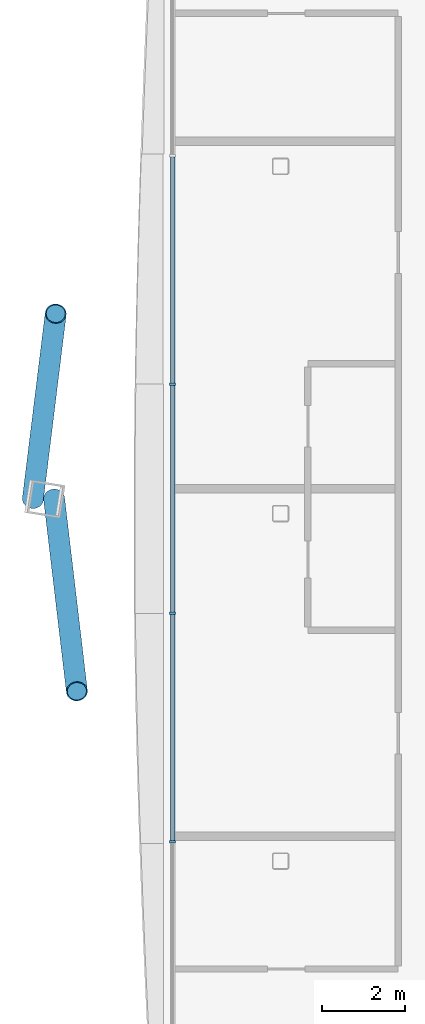
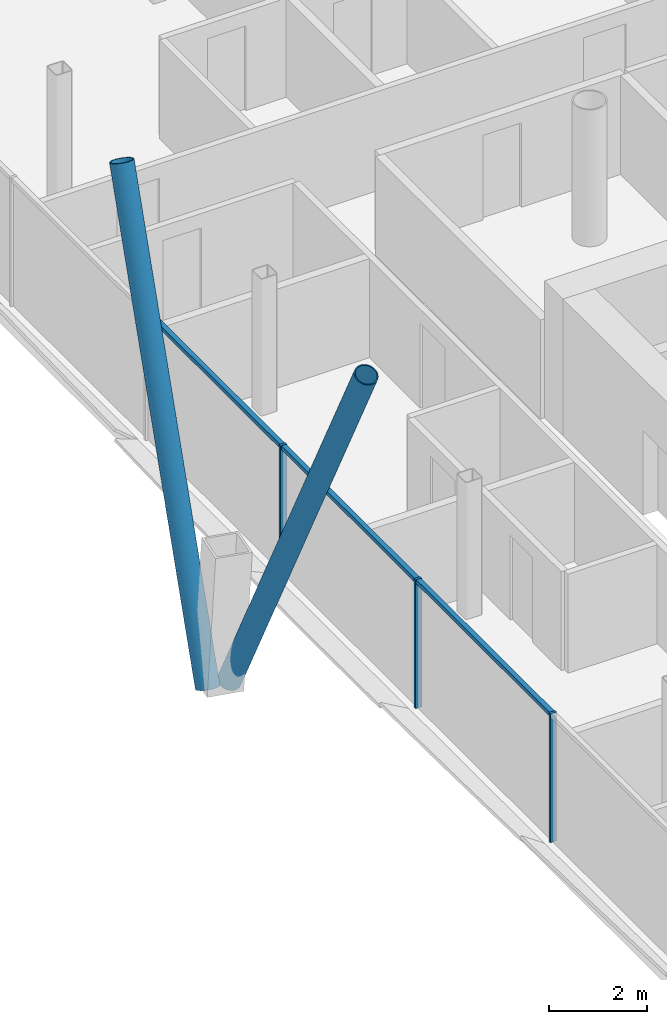
# One storey, part 6 of 22: 8 members, 1 element without a shape of its own.
"""IFC4 building model written with IfcOpenShell, lengths in metres."""

from ifc_helpers import new_model, si_unit, direction, frame, origin, origin_2d, place, context, subcontext, project, spatial, rectangle, hollow_circle, extrude, material, material_profile, profile_set, type_object, element, aggregate, save


model = new_model("IFC4")

# Units and contexts
model_context = context("Model", 3, precision=1e-05, world=origin(), true_north=direction((0.0, 1.0)))
body_context = subcontext(model_context, "Body", "Model", "MODEL_VIEW")
ifc_project = project(units=[si_unit("LENGTHUNIT", "METRE"), si_unit("AREAUNIT", "SQUARE_METRE"), si_unit("VOLUMEUNIT", "CUBIC_METRE"), si_unit("PLANEANGLEUNIT", "RADIAN"), si_unit("MASSUNIT", "GRAM", prefix="KILO")], contexts=[model_context])

# Site, building, storey
site_placement = place(None, origin())
site = spatial("IfcSite", under=ifc_project, at=site_placement, CompositionType="ELEMENT")
building_placement = place(site_placement, origin())
building = spatial("IfcBuilding", under=site, at=building_placement, Name="Tskaro Facet Tower", CompositionType="ELEMENT")
storey_placement = place(building_placement, frame((0.0, 0.0, 121.5)))
storey = spatial("IfcBuildingStorey", under=building, at=storey_placement, Name="L28", CompositionType="ELEMENT", Elevation=121.5)

# Members
ifc_material_1 = material(Name="Steel S355J2H", Category="steel")
ifc_material_profile_1 = material_profile(ifc_material_1, hollow_circle(Radius=0.25390625, WallThickness=0.02490234375, at=origin_2d()), Name="CHS 508x25")
ifc_profile_set_1 = profile_set([ifc_material_profile_1], Name="Steel S355J2H")
member_type_1 = type_object("IfcMemberType", Name="CHS 508x25 brace", PredefinedType="BRACE", material=ifc_profile_set_1)
member_1_placement = place(storey_placement, frame((-23.720947265625, -0.95703125, 0.0), z_axis=(0.049158993374, 0.398948353269, 0.915654741043), x_axis=(-0.992493610246, 0.122296498807, 0.0)))
element("IfcMember", 1, at=member_1_placement, inside=storey, type_object=member_type_1, Name="CHS 508x25 XB10B/3", PredefinedType="BRACE", context=body_context, shape_type="SweptSolid", body=[
    extrude(hollow_circle(Radius=0.25390625, WallThickness=0.02490234375, at=origin_2d()), origin(), (0.0, 0.0, 1.0), 11.139404296875),
])
member_2_placement = place(storey_placement, frame((-23.212890625, -0.95703125, 0.0), z_axis=(0.048840266539, -0.412344238721, 0.909718009692), x_axis=(0.993058302585, 0.117623159566, 0.0)))
element("IfcMember", 2, at=member_2_placement, inside=storey, type_object=member_type_1, Name="CHS 508x25 XB11A/3", PredefinedType="BRACE", context=body_context, shape_type="SweptSolid", body=[
    extrude(hollow_circle(Radius=0.25390625, WallThickness=0.02490234375, at=origin_2d()), origin(), (0.0, 0.0, 1.0), 11.212158203125),
])

# Curtain wall, members
ifc_material_2 = material(Name="Bronze anodised aluminium 6063-T6", Category="aluminium")
curtain_wall_type = type_object("IfcCurtainWallType", Name="Bronze hotel curtain wall (FW2)", PredefinedType="NOTDEFINED", material=ifc_material_2)
curtain_wall_placement = place(storey_placement, origin())
curtain_wall = element("IfcCurtainWall", 3, at=curtain_wall_placement, inside=storey, type_object=curtain_wall_type, Name="FW2 west facet L28", PredefinedType="NOTDEFINED")
ifc_material_profile_2 = material_profile(ifc_material_2, rectangle(XDim=0.06005859375, YDim=0.14990234375, at=origin_2d()), Name="Mullion 60x150")
ifc_profile_set_2 = profile_set([ifc_material_profile_2], Name="Bronze anodised aluminium 6063-T6")
member_type_2 = type_object("IfcMemberType", Name="FW2 bronze mullion 60x150", PredefinedType="MULLION", material=ifc_profile_set_2)
member_3_placement = place(storey_placement, frame((-20.366943359375, 1.78759765625, 0.0), z_axis=(0.0, 0.0, 1.0), x_axis=(0.0, -1.0, 0.0)))
member_3 = element("IfcMember", 4, at=member_3_placement, type_object=member_type_2, Name="FW2 west mullion 3", PredefinedType="MULLION", context=body_context, shape_type="SweptSolid", body=[
    extrude(rectangle(XDim=0.06005859375, YDim=0.14990234375, at=origin_2d()), origin(), (0.0, 0.0, 1.0), 3.199951171875),
])
member_4_placement = place(storey_placement, frame((-20.366943359375, -3.70068359375, 0.0), z_axis=(0.0, 0.0, 1.0), x_axis=(0.0, -1.0, 0.0)))
member_4 = element("IfcMember", 5, at=member_4_placement, type_object=member_type_2, Name="FW2 west mullion 4", PredefinedType="MULLION", context=body_context, shape_type="SweptSolid", body=[
    extrude(rectangle(XDim=0.06005859375, YDim=0.14990234375, at=origin_2d()), origin(), (0.0, 0.0, 1.0), 3.199951171875),
])
member_5_placement = place(storey_placement, frame((-20.366943359375, -9.189208984375, 0.0), z_axis=(0.0, 0.0, 1.0), x_axis=(0.0, -1.0, 0.0)))
member_5 = element("IfcMember", 6, at=member_5_placement, type_object=member_type_2, Name="FW2 west mullion 5", PredefinedType="MULLION", context=body_context, shape_type="SweptSolid", body=[
    extrude(rectangle(XDim=0.06005859375, YDim=0.14990234375, at=origin_2d()), origin(), (0.0, 0.0, 1.0), 3.199951171875),
])
ifc_material_profile_3 = material_profile(ifc_material_2, rectangle(XDim=0.110107421875, YDim=0.10009765625, at=origin_2d()), Name="Transom 110x100")
ifc_profile_set_3 = profile_set([ifc_material_profile_3], Name="Bronze anodised aluminium 6063-T6")
member_type_3 = type_object("IfcMemberType", Name="FW2 bronze transom 110x100", PredefinedType="USERDEFINED", material=ifc_profile_set_3)
member_6_placement = place(storey_placement, frame((-20.366943359375, 7.24609375, 3.14990234375), z_axis=(0.0, -1.0, 0.0), x_axis=(1.0, 0.0, 0.0)))
member_6 = element("IfcMember", 7, at=member_6_placement, type_object=member_type_3, Name="FW2 west transom 3.1", ObjectType="TRANSOM", PredefinedType="USERDEFINED", context=body_context, shape_type="SweptSolid", body=[
    extrude(rectangle(XDim=0.110107421875, YDim=0.10009765625, at=origin_2d()), origin(), (0.0, 0.0, 1.0), 5.428466796875),
])
member_7_placement = place(storey_placement, frame((-20.366943359375, 1.7578125, 3.14990234375), z_axis=(0.0, -1.0, 0.0), x_axis=(1.0, 0.0, 0.0)))
member_7 = element("IfcMember", 8, at=member_7_placement, type_object=member_type_3, Name="FW2 west transom 4.1", ObjectType="TRANSOM", PredefinedType="USERDEFINED", context=body_context, shape_type="SweptSolid", body=[
    extrude(rectangle(XDim=0.110107421875, YDim=0.10009765625, at=origin_2d()), origin(), (0.0, 0.0, 1.0), 5.428466796875),
])
member_8_placement = place(storey_placement, frame((-20.366943359375, -3.730712890625, 3.14990234375), z_axis=(0.0, -1.0, 0.0), x_axis=(1.0, 0.0, 0.0)))
member_8 = element("IfcMember", 9, at=member_8_placement, type_object=member_type_3, Name="FW2 west transom 5.1", ObjectType="TRANSOM", PredefinedType="USERDEFINED", context=body_context, shape_type="SweptSolid", body=[
    extrude(rectangle(XDim=0.110107421875, YDim=0.10009765625, at=origin_2d()), origin(), (0.0, 0.0, 1.0), 5.428466796875),
])
aggregate(curtain_wall, [member_3, member_4, member_5, member_6, member_7, member_8])

save(model, "model.ifc")
